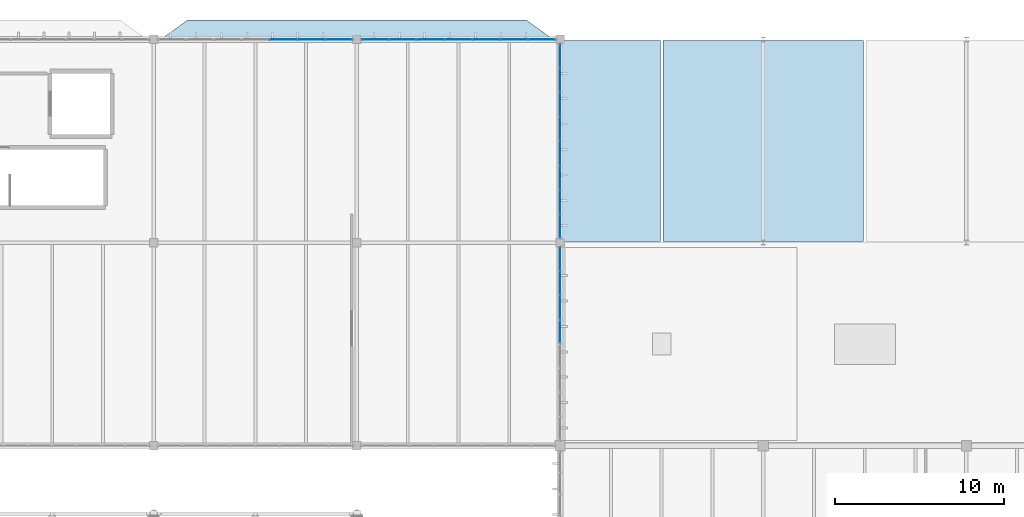
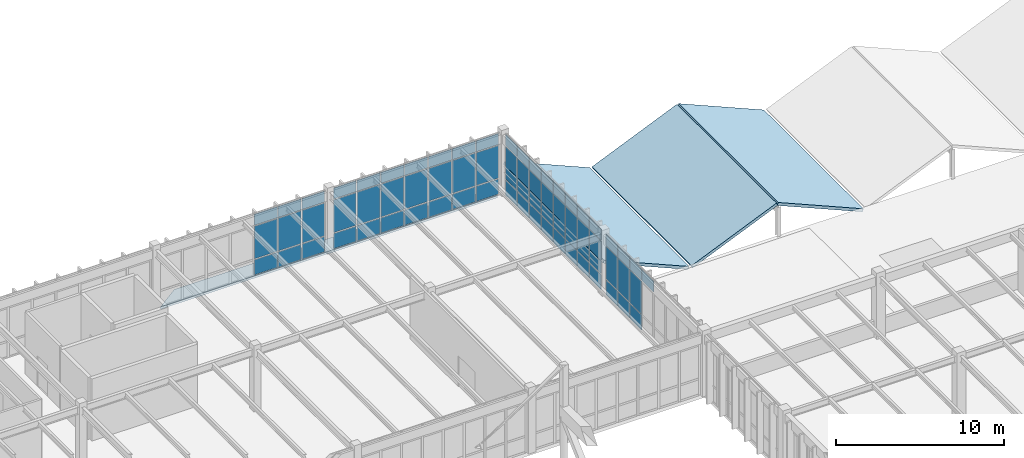
# One storey, part 207 of 236: 64 plates, 4 slabs, 4 elements without a shape of their own.
"""IFC4 building model written with IfcOpenShell, lengths in metres."""

from ifc_helpers import new_model, si_unit, direction, frame, origin, origin_2d, place, context, subcontext, project, spatial, polyline, rectangle, outline, extrude, material, layer, layer_set, type_object, element, aggregate, save


model = new_model("IFC4")

# Units and contexts
model_context = context("Model", 3, precision=1e-05, world=origin(), true_north=direction((0.0, 1.0)))
body_context = subcontext(model_context, "Body", "Model", "MODEL_VIEW")
ifc_project = project(units=[si_unit("LENGTHUNIT", "METRE"), si_unit("AREAUNIT", "SQUARE_METRE"), si_unit("VOLUMEUNIT", "CUBIC_METRE"), si_unit("PLANEANGLEUNIT", "RADIAN"), si_unit("MASSUNIT", "GRAM", prefix="KILO")], contexts=[model_context])

# Site, building, storey
site_placement = place(None, origin())
site = spatial("IfcSite", under=ifc_project, at=site_placement, CompositionType="ELEMENT")
building_placement = place(site_placement, origin())
building = spatial("IfcBuilding", under=site, at=building_placement, Name="Pandanus Reach Market Hall", CompositionType="ELEMENT")
storey_placement = place(building_placement, frame((0.0, 0.0, 5.39990234375)))
storey = spatial("IfcBuildingStorey", under=building, at=storey_placement, Name="L01", CompositionType="ELEMENT", Elevation=5.39990234375)

# Curtain wall, plates
ifc_material_1 = material(Name="Bronze anodised aluminium and low-E glass", Category="aluminium")
ifc_layer_1 = layer(ifc_material_1, 0.159912109375, Name="CW-39")
ifc_layer_set_1 = layer_set([ifc_layer_1], Name="Bronze anodised aluminium and low-E glass")
curtain_wall_type_1 = type_object("IfcCurtainWallType", Name="CW-39", PredefinedType="NOTDEFINED", material=ifc_layer_set_1)
curtain_wall_1_placement = place(storey_placement, origin())
curtain_wall_1 = element("IfcCurtainWall", 1, at=curtain_wall_1_placement, inside=storey, type_object=curtain_wall_type_1, Name="Glazed curtain wall CW-39 CW-0144", PredefinedType="NOTDEFINED")
ifc_material_2 = material(Name="Solar-control double glazing", Category="glass")
ifc_layer_2 = layer(ifc_material_2, 0.028076171875, Name="CW-P1")
ifc_layer_set_2 = layer_set([ifc_layer_2], Name="Solar-control double glazing")
plate_type = type_object("IfcPlateType", Name="CW-P1", PredefinedType="CURTAIN_PANEL", material=ifc_layer_set_2)
plate_1_placement = place(storey_placement, frame((127.642822265625, 120.0, 0.065185546875), z_axis=(0.0, 0.0, 1.0), x_axis=(1.0, 0.0, 0.0)))
plate_1 = element("IfcPlate", 2, at=plate_1_placement, type_object=plate_type, Name="CW-39 panel 5.1", PredefinedType="CURTAIN_PANEL", context=body_context, shape_type="SweptSolid", body=[
    extrude(rectangle(XDim=1.577880859375, YDim=0.028076171875, at=origin_2d()), origin(), (0.0, 0.0, 1.0), 1.1025390625),
])
plate_2_placement = place(storey_placement, frame((127.642822265625, 120.0, 1.232421875), z_axis=(0.0, 0.0, 1.0), x_axis=(1.0, 0.0, 0.0)))
plate_2 = element("IfcPlate", 3, at=plate_2_placement, type_object=plate_type, Name="CW-39 panel 5.2", PredefinedType="CURTAIN_PANEL", context=body_context, shape_type="SweptSolid", body=[
    extrude(rectangle(XDim=1.577880859375, YDim=0.028076171875, at=origin_2d()), origin(), (0.0, 0.0, 1.0), 2.385009765625),
])
plate_3_placement = place(storey_placement, frame((127.642822265625, 120.0, 3.6826171875), z_axis=(0.0, 0.0, 1.0), x_axis=(1.0, 0.0, 0.0)))
plate_3 = element("IfcPlate", 4, at=plate_3_placement, type_object=plate_type, Name="CW-39 panel 5.3", PredefinedType="CURTAIN_PANEL", context=body_context, shape_type="SweptSolid", body=[
    extrude(rectangle(XDim=1.577880859375, YDim=0.028076171875, at=origin_2d()), origin(), (0.0, 0.0, 1.0), 0.802490234375),
])
plate_4_placement = place(storey_placement, frame((129.28564453125, 120.0, 0.065185546875), z_axis=(0.0, 0.0, 1.0), x_axis=(1.0, 0.0, 0.0)))
plate_4 = element("IfcPlate", 5, at=plate_4_placement, type_object=plate_type, Name="CW-39 panel 6.1", PredefinedType="CURTAIN_PANEL", context=body_context, shape_type="SweptSolid", body=[
    extrude(rectangle(XDim=1.577880859375, YDim=0.028076171875, at=origin_2d()), origin(), (0.0, 0.0, 1.0), 1.1025390625),
])
plate_5_placement = place(storey_placement, frame((129.28564453125, 120.0, 1.232421875), z_axis=(0.0, 0.0, 1.0), x_axis=(1.0, 0.0, 0.0)))
plate_5 = element("IfcPlate", 6, at=plate_5_placement, type_object=plate_type, Name="CW-39 panel 6.2", PredefinedType="CURTAIN_PANEL", context=body_context, shape_type="SweptSolid", body=[
    extrude(rectangle(XDim=1.577880859375, YDim=0.028076171875, at=origin_2d()), origin(), (0.0, 0.0, 1.0), 2.385009765625),
])
plate_6_placement = place(storey_placement, frame((129.28564453125, 120.0, 3.6826171875), z_axis=(0.0, 0.0, 1.0), x_axis=(1.0, 0.0, 0.0)))
plate_6 = element("IfcPlate", 7, at=plate_6_placement, type_object=plate_type, Name="CW-39 panel 6.3", PredefinedType="CURTAIN_PANEL", context=body_context, shape_type="SweptSolid", body=[
    extrude(rectangle(XDim=1.577880859375, YDim=0.028076171875, at=origin_2d()), origin(), (0.0, 0.0, 1.0), 0.802490234375),
])
plate_7_placement = place(storey_placement, frame((130.912353515625, 120.0, 0.065185546875), z_axis=(0.0, 0.0, 1.0), x_axis=(1.0, 0.0, 0.0)))
plate_7 = element("IfcPlate", 8, at=plate_7_placement, type_object=plate_type, Name="CW-39 panel 7.1", PredefinedType="CURTAIN_PANEL", context=body_context, shape_type="SweptSolid", body=[
    extrude(rectangle(XDim=1.54541015625, YDim=0.028076171875, at=origin_2d()), origin(), (0.0, 0.0, 1.0), 1.1025390625),
])
plate_8_placement = place(storey_placement, frame((130.912353515625, 120.0, 1.232421875), z_axis=(0.0, 0.0, 1.0), x_axis=(1.0, 0.0, 0.0)))
plate_8 = element("IfcPlate", 9, at=plate_8_placement, type_object=plate_type, Name="CW-39 panel 7.2", PredefinedType="CURTAIN_PANEL", context=body_context, shape_type="SweptSolid", body=[
    extrude(rectangle(XDim=1.54541015625, YDim=0.028076171875, at=origin_2d()), origin(), (0.0, 0.0, 1.0), 2.385009765625),
])
plate_9_placement = place(storey_placement, frame((130.912353515625, 120.0, 3.6826171875), z_axis=(0.0, 0.0, 1.0), x_axis=(1.0, 0.0, 0.0)))
plate_9 = element("IfcPlate", 10, at=plate_9_placement, type_object=plate_type, Name="CW-39 panel 7.3", PredefinedType="CURTAIN_PANEL", context=body_context, shape_type="SweptSolid", body=[
    extrude(rectangle(XDim=1.54541015625, YDim=0.028076171875, at=origin_2d()), origin(), (0.0, 0.0, 1.0), 0.802490234375),
])
aggregate(curtain_wall_1, [plate_1, plate_2, plate_3, plate_4, plate_5, plate_6, plate_7, plate_8, plate_9])

curtain_wall_2_placement = place(storey_placement, origin())
curtain_wall_2 = element("IfcCurtainWall", 11, at=curtain_wall_2_placement, inside=storey, type_object=curtain_wall_type_1, Name="Glazed curtain wall CW-39 CW-0146", PredefinedType="NOTDEFINED")
plate_10_placement = place(storey_placement, frame((133.087646484375, 120.0, 0.065185546875), z_axis=(0.0, 0.0, 1.0), x_axis=(1.0, 0.0, 0.0)))
plate_10 = element("IfcPlate", 12, at=plate_10_placement, type_object=plate_type, Name="CW-39 panel 1.1", PredefinedType="CURTAIN_PANEL", context=body_context, shape_type="SweptSolid", body=[
    extrude(rectangle(XDim=1.54541015625, YDim=0.028076171875, at=origin_2d()), origin(), (0.0, 0.0, 1.0), 1.1025390625),
])
plate_11_placement = place(storey_placement, frame((133.087646484375, 120.0, 1.232421875), z_axis=(0.0, 0.0, 1.0), x_axis=(1.0, 0.0, 0.0)))
plate_11 = element("IfcPlate", 13, at=plate_11_placement, type_object=plate_type, Name="CW-39 panel 1.2", PredefinedType="CURTAIN_PANEL", context=body_context, shape_type="SweptSolid", body=[
    extrude(rectangle(XDim=1.54541015625, YDim=0.028076171875, at=origin_2d()), origin(), (0.0, 0.0, 1.0), 2.385009765625),
])
plate_12_placement = place(storey_placement, frame((133.087646484375, 120.0, 3.6826171875), z_axis=(0.0, 0.0, 1.0), x_axis=(1.0, 0.0, 0.0)))
plate_12 = element("IfcPlate", 14, at=plate_12_placement, type_object=plate_type, Name="CW-39 panel 1.3", PredefinedType="CURTAIN_PANEL", context=body_context, shape_type="SweptSolid", body=[
    extrude(rectangle(XDim=1.54541015625, YDim=0.028076171875, at=origin_2d()), origin(), (0.0, 0.0, 1.0), 0.802490234375),
])
plate_13_placement = place(storey_placement, frame((134.71435546875, 120.0, 0.065185546875), z_axis=(0.0, 0.0, 1.0), x_axis=(1.0, 0.0, 0.0)))
plate_13 = element("IfcPlate", 15, at=plate_13_placement, type_object=plate_type, Name="CW-39 panel 2.1", PredefinedType="CURTAIN_PANEL", context=body_context, shape_type="SweptSolid", body=[
    extrude(rectangle(XDim=1.577880859375, YDim=0.028076171875, at=origin_2d()), origin(), (0.0, 0.0, 1.0), 1.1025390625),
])
plate_14_placement = place(storey_placement, frame((134.71435546875, 120.0, 1.232421875), z_axis=(0.0, 0.0, 1.0), x_axis=(1.0, 0.0, 0.0)))
plate_14 = element("IfcPlate", 16, at=plate_14_placement, type_object=plate_type, Name="CW-39 panel 2.2", PredefinedType="CURTAIN_PANEL", context=body_context, shape_type="SweptSolid", body=[
    extrude(rectangle(XDim=1.577880859375, YDim=0.028076171875, at=origin_2d()), origin(), (0.0, 0.0, 1.0), 2.385009765625),
])
plate_15_placement = place(storey_placement, frame((134.71435546875, 120.0, 3.6826171875), z_axis=(0.0, 0.0, 1.0), x_axis=(1.0, 0.0, 0.0)))
plate_15 = element("IfcPlate", 17, at=plate_15_placement, type_object=plate_type, Name="CW-39 panel 2.3", PredefinedType="CURTAIN_PANEL", context=body_context, shape_type="SweptSolid", body=[
    extrude(rectangle(XDim=1.577880859375, YDim=0.028076171875, at=origin_2d()), origin(), (0.0, 0.0, 1.0), 0.802490234375),
])
plate_16_placement = place(storey_placement, frame((136.357177734375, 120.0, 0.065185546875), z_axis=(0.0, 0.0, 1.0), x_axis=(1.0, 0.0, 0.0)))
plate_16 = element("IfcPlate", 18, at=plate_16_placement, type_object=plate_type, Name="CW-39 panel 3.1", PredefinedType="CURTAIN_PANEL", context=body_context, shape_type="SweptSolid", body=[
    extrude(rectangle(XDim=1.577880859375, YDim=0.028076171875, at=origin_2d()), origin(), (0.0, 0.0, 1.0), 1.1025390625),
])
plate_17_placement = place(storey_placement, frame((136.357177734375, 120.0, 1.232421875), z_axis=(0.0, 0.0, 1.0), x_axis=(1.0, 0.0, 0.0)))
plate_17 = element("IfcPlate", 19, at=plate_17_placement, type_object=plate_type, Name="CW-39 panel 3.2", PredefinedType="CURTAIN_PANEL", context=body_context, shape_type="SweptSolid", body=[
    extrude(rectangle(XDim=1.577880859375, YDim=0.028076171875, at=origin_2d()), origin(), (0.0, 0.0, 1.0), 2.385009765625),
])
plate_18_placement = place(storey_placement, frame((136.357177734375, 120.0, 3.6826171875), z_axis=(0.0, 0.0, 1.0), x_axis=(1.0, 0.0, 0.0)))
plate_18 = element("IfcPlate", 20, at=plate_18_placement, type_object=plate_type, Name="CW-39 panel 3.3", PredefinedType="CURTAIN_PANEL", context=body_context, shape_type="SweptSolid", body=[
    extrude(rectangle(XDim=1.577880859375, YDim=0.028076171875, at=origin_2d()), origin(), (0.0, 0.0, 1.0), 0.802490234375),
])
plate_19_placement = place(storey_placement, frame((138.0, 120.0, 0.065185546875), z_axis=(0.0, 0.0, 1.0), x_axis=(1.0, 0.0, 0.0)))
plate_19 = element("IfcPlate", 21, at=plate_19_placement, type_object=plate_type, Name="CW-39 panel 4.1", PredefinedType="CURTAIN_PANEL", context=body_context, shape_type="SweptSolid", body=[
    extrude(rectangle(XDim=1.577880859375, YDim=0.028076171875, at=origin_2d()), origin(), (0.0, 0.0, 1.0), 1.1025390625),
])
plate_20_placement = place(storey_placement, frame((138.0, 120.0, 1.232421875), z_axis=(0.0, 0.0, 1.0), x_axis=(1.0, 0.0, 0.0)))
plate_20 = element("IfcPlate", 22, at=plate_20_placement, type_object=plate_type, Name="CW-39 panel 4.2", PredefinedType="CURTAIN_PANEL", context=body_context, shape_type="SweptSolid", body=[
    extrude(rectangle(XDim=1.577880859375, YDim=0.028076171875, at=origin_2d()), origin(), (0.0, 0.0, 1.0), 2.385009765625),
])
plate_21_placement = place(storey_placement, frame((138.0, 120.0, 3.6826171875), z_axis=(0.0, 0.0, 1.0), x_axis=(1.0, 0.0, 0.0)))
plate_21 = element("IfcPlate", 23, at=plate_21_placement, type_object=plate_type, Name="CW-39 panel 4.3", PredefinedType="CURTAIN_PANEL", context=body_context, shape_type="SweptSolid", body=[
    extrude(rectangle(XDim=1.577880859375, YDim=0.028076171875, at=origin_2d()), origin(), (0.0, 0.0, 1.0), 0.802490234375),
])
plate_22_placement = place(storey_placement, frame((139.642822265625, 120.0, 0.065185546875), z_axis=(0.0, 0.0, 1.0), x_axis=(1.0, 0.0, 0.0)))
plate_22 = element("IfcPlate", 24, at=plate_22_placement, type_object=plate_type, Name="CW-39 panel 5.1", PredefinedType="CURTAIN_PANEL", context=body_context, shape_type="SweptSolid", body=[
    extrude(rectangle(XDim=1.577880859375, YDim=0.028076171875, at=origin_2d()), origin(), (0.0, 0.0, 1.0), 1.1025390625),
])
plate_23_placement = place(storey_placement, frame((139.642822265625, 120.0, 1.232421875), z_axis=(0.0, 0.0, 1.0), x_axis=(1.0, 0.0, 0.0)))
plate_23 = element("IfcPlate", 25, at=plate_23_placement, type_object=plate_type, Name="CW-39 panel 5.2", PredefinedType="CURTAIN_PANEL", context=body_context, shape_type="SweptSolid", body=[
    extrude(rectangle(XDim=1.577880859375, YDim=0.028076171875, at=origin_2d()), origin(), (0.0, 0.0, 1.0), 2.385009765625),
])
plate_24_placement = place(storey_placement, frame((139.642822265625, 120.0, 3.6826171875), z_axis=(0.0, 0.0, 1.0), x_axis=(1.0, 0.0, 0.0)))
plate_24 = element("IfcPlate", 26, at=plate_24_placement, type_object=plate_type, Name="CW-39 panel 5.3", PredefinedType="CURTAIN_PANEL", context=body_context, shape_type="SweptSolid", body=[
    extrude(rectangle(XDim=1.577880859375, YDim=0.028076171875, at=origin_2d()), origin(), (0.0, 0.0, 1.0), 0.802490234375),
])
plate_25_placement = place(storey_placement, frame((141.28564453125, 120.0, 0.065185546875), z_axis=(0.0, 0.0, 1.0), x_axis=(1.0, 0.0, 0.0)))
plate_25 = element("IfcPlate", 27, at=plate_25_placement, type_object=plate_type, Name="CW-39 panel 6.1", PredefinedType="CURTAIN_PANEL", context=body_context, shape_type="SweptSolid", body=[
    extrude(rectangle(XDim=1.577880859375, YDim=0.028076171875, at=origin_2d()), origin(), (0.0, 0.0, 1.0), 1.1025390625),
])
plate_26_placement = place(storey_placement, frame((141.28564453125, 120.0, 1.232421875), z_axis=(0.0, 0.0, 1.0), x_axis=(1.0, 0.0, 0.0)))
plate_26 = element("IfcPlate", 28, at=plate_26_placement, type_object=plate_type, Name="CW-39 panel 6.2", PredefinedType="CURTAIN_PANEL", context=body_context, shape_type="SweptSolid", body=[
    extrude(rectangle(XDim=1.577880859375, YDim=0.028076171875, at=origin_2d()), origin(), (0.0, 0.0, 1.0), 2.385009765625),
])
plate_27_placement = place(storey_placement, frame((141.28564453125, 120.0, 3.6826171875), z_axis=(0.0, 0.0, 1.0), x_axis=(1.0, 0.0, 0.0)))
plate_27 = element("IfcPlate", 29, at=plate_27_placement, type_object=plate_type, Name="CW-39 panel 6.3", PredefinedType="CURTAIN_PANEL", context=body_context, shape_type="SweptSolid", body=[
    extrude(rectangle(XDim=1.577880859375, YDim=0.028076171875, at=origin_2d()), origin(), (0.0, 0.0, 1.0), 0.802490234375),
])
plate_28_placement = place(storey_placement, frame((142.912353515625, 120.0, 0.065185546875), z_axis=(0.0, 0.0, 1.0), x_axis=(1.0, 0.0, 0.0)))
plate_28 = element("IfcPlate", 30, at=plate_28_placement, type_object=plate_type, Name="CW-39 panel 7.1", PredefinedType="CURTAIN_PANEL", context=body_context, shape_type="SweptSolid", body=[
    extrude(rectangle(XDim=1.54541015625, YDim=0.028076171875, at=origin_2d()), origin(), (0.0, 0.0, 1.0), 1.1025390625),
])
plate_29_placement = place(storey_placement, frame((142.912353515625, 120.0, 1.232421875), z_axis=(0.0, 0.0, 1.0), x_axis=(1.0, 0.0, 0.0)))
plate_29 = element("IfcPlate", 31, at=plate_29_placement, type_object=plate_type, Name="CW-39 panel 7.2", PredefinedType="CURTAIN_PANEL", context=body_context, shape_type="SweptSolid", body=[
    extrude(rectangle(XDim=1.54541015625, YDim=0.028076171875, at=origin_2d()), origin(), (0.0, 0.0, 1.0), 2.385009765625),
])
plate_30_placement = place(storey_placement, frame((142.912353515625, 120.0, 3.6826171875), z_axis=(0.0, 0.0, 1.0), x_axis=(1.0, 0.0, 0.0)))
plate_30 = element("IfcPlate", 32, at=plate_30_placement, type_object=plate_type, Name="CW-39 panel 7.3", PredefinedType="CURTAIN_PANEL", context=body_context, shape_type="SweptSolid", body=[
    extrude(rectangle(XDim=1.54541015625, YDim=0.028076171875, at=origin_2d()), origin(), (0.0, 0.0, 1.0), 0.802490234375),
])
aggregate(curtain_wall_2, [plate_10, plate_11, plate_12, plate_13, plate_14, plate_15, plate_16, plate_17, plate_18, plate_19, plate_20, plate_21, plate_22, plate_23, plate_24, plate_25, plate_26, plate_27, plate_28, plate_29, plate_30])

ifc_layer_3 = layer(ifc_material_1, 0.159912109375, Name="CW-40")
ifc_layer_set_3 = layer_set([ifc_layer_3], Name="Bronze anodised aluminium and low-E glass")
curtain_wall_type_2 = type_object("IfcCurtainWallType", Name="CW-40", PredefinedType="NOTDEFINED", material=ifc_layer_set_3)
curtain_wall_3_placement = place(storey_placement, origin())
curtain_wall_3 = element("IfcCurtainWall", 33, at=curtain_wall_3_placement, inside=storey, type_object=curtain_wall_type_2, Name="Glazed curtain wall CW-40 CW-0149", PredefinedType="NOTDEFINED")
plate_31_placement = place(storey_placement, frame((144.0, 102.74072265625, 3.6826171875), z_axis=(0.0, 0.0, 1.0), x_axis=(0.0, 1.0, 0.0)))
plate_31 = element("IfcPlate", 34, at=plate_31_placement, type_object=plate_type, Name="CW-40 panel 5.3", PredefinedType="CURTAIN_PANEL", context=body_context, shape_type="SweptSolid", body=[
    extrude(rectangle(XDim=1.3662109375, YDim=0.028076171875, at=origin_2d()), origin(), (0.0, 0.0, 1.0), 0.802490234375),
])
plate_32_placement = place(storey_placement, frame((144.0, 104.171875, 0.065185546875), z_axis=(0.0, 0.0, 1.0), x_axis=(0.0, 1.0, 0.0)))
plate_32 = element("IfcPlate", 35, at=plate_32_placement, type_object=plate_type, Name="CW-40 panel 6.1", PredefinedType="CURTAIN_PANEL", context=body_context, shape_type="SweptSolid", body=[
    extrude(rectangle(XDim=1.3662109375, YDim=0.028076171875, at=origin_2d()), origin(), (0.0, 0.0, 1.0), 1.1025390625),
])
plate_33_placement = place(storey_placement, frame((144.0, 104.171875, 1.232421875), z_axis=(0.0, 0.0, 1.0), x_axis=(0.0, 1.0, 0.0)))
plate_33 = element("IfcPlate", 36, at=plate_33_placement, type_object=plate_type, Name="CW-40 panel 6.2", PredefinedType="CURTAIN_PANEL", context=body_context, shape_type="SweptSolid", body=[
    extrude(rectangle(XDim=1.3662109375, YDim=0.028076171875, at=origin_2d()), origin(), (0.0, 0.0, 1.0), 2.385009765625),
])
plate_34_placement = place(storey_placement, frame((144.0, 104.171875, 3.6826171875), z_axis=(0.0, 0.0, 1.0), x_axis=(0.0, 1.0, 0.0)))
plate_34 = element("IfcPlate", 37, at=plate_34_placement, type_object=plate_type, Name="CW-40 panel 6.3", PredefinedType="CURTAIN_PANEL", context=body_context, shape_type="SweptSolid", body=[
    extrude(rectangle(XDim=1.3662109375, YDim=0.028076171875, at=origin_2d()), origin(), (0.0, 0.0, 1.0), 0.802490234375),
])
plate_35_placement = place(storey_placement, frame((144.0, 105.60302734375, 0.065185546875), z_axis=(0.0, 0.0, 1.0), x_axis=(0.0, 1.0, 0.0)))
plate_35 = element("IfcPlate", 38, at=plate_35_placement, type_object=plate_type, Name="CW-40 panel 7.1", PredefinedType="CURTAIN_PANEL", context=body_context, shape_type="SweptSolid", body=[
    extrude(rectangle(XDim=1.3662109375, YDim=0.028076171875, at=origin_2d()), origin(), (0.0, 0.0, 1.0), 1.1025390625),
])
plate_36_placement = place(storey_placement, frame((144.0, 105.60302734375, 1.232421875), z_axis=(0.0, 0.0, 1.0), x_axis=(0.0, 1.0, 0.0)))
plate_36 = element("IfcPlate", 39, at=plate_36_placement, type_object=plate_type, Name="CW-40 panel 7.2", PredefinedType="CURTAIN_PANEL", context=body_context, shape_type="SweptSolid", body=[
    extrude(rectangle(XDim=1.3662109375, YDim=0.028076171875, at=origin_2d()), origin(), (0.0, 0.0, 1.0), 2.385009765625),
])
plate_37_placement = place(storey_placement, frame((144.0, 105.60302734375, 3.6826171875), z_axis=(0.0, 0.0, 1.0), x_axis=(0.0, 1.0, 0.0)))
plate_37 = element("IfcPlate", 40, at=plate_37_placement, type_object=plate_type, Name="CW-40 panel 7.3", PredefinedType="CURTAIN_PANEL", context=body_context, shape_type="SweptSolid", body=[
    extrude(rectangle(XDim=1.3662109375, YDim=0.028076171875, at=origin_2d()), origin(), (0.0, 0.0, 1.0), 0.802490234375),
])
plate_38_placement = place(storey_placement, frame((144.0, 107.01806640625, 0.065185546875), z_axis=(0.0, 0.0, 1.0), x_axis=(0.0, 1.0, 0.0)))
plate_38 = element("IfcPlate", 41, at=plate_38_placement, type_object=plate_type, Name="CW-40 panel 8.1", PredefinedType="CURTAIN_PANEL", context=body_context, shape_type="SweptSolid", body=[
    extrude(rectangle(XDim=1.333740234375, YDim=0.028076171875, at=origin_2d()), origin(), (0.0, 0.0, 1.0), 1.1025390625),
])
plate_39_placement = place(storey_placement, frame((144.0, 107.01806640625, 1.232421875), z_axis=(0.0, 0.0, 1.0), x_axis=(0.0, 1.0, 0.0)))
plate_39 = element("IfcPlate", 42, at=plate_39_placement, type_object=plate_type, Name="CW-40 panel 8.2", PredefinedType="CURTAIN_PANEL", context=body_context, shape_type="SweptSolid", body=[
    extrude(rectangle(XDim=1.333740234375, YDim=0.028076171875, at=origin_2d()), origin(), (0.0, 0.0, 1.0), 2.385009765625),
])
plate_40_placement = place(storey_placement, frame((144.0, 107.01806640625, 3.6826171875), z_axis=(0.0, 0.0, 1.0), x_axis=(0.0, 1.0, 0.0)))
plate_40 = element("IfcPlate", 43, at=plate_40_placement, type_object=plate_type, Name="CW-40 panel 8.3", PredefinedType="CURTAIN_PANEL", context=body_context, shape_type="SweptSolid", body=[
    extrude(rectangle(XDim=1.333740234375, YDim=0.028076171875, at=origin_2d()), origin(), (0.0, 0.0, 1.0), 0.802490234375),
])
aggregate(curtain_wall_3, [plate_31, plate_32, plate_33, plate_34, plate_35, plate_36, plate_37, plate_38, plate_39, plate_40])

ifc_layer_4 = layer(ifc_material_1, 0.159912109375, Name="CW-38")
ifc_layer_set_4 = layer_set([ifc_layer_4], Name="Bronze anodised aluminium and low-E glass")
curtain_wall_type_3 = type_object("IfcCurtainWallType", Name="CW-38", PredefinedType="NOTDEFINED", material=ifc_layer_set_4)
curtain_wall_4_placement = place(storey_placement, origin())
curtain_wall_4 = element("IfcCurtainWall", 44, at=curtain_wall_4_placement, inside=storey, type_object=curtain_wall_type_3, Name="Glazed curtain wall CW-38 CW-0152", PredefinedType="NOTDEFINED")
plate_41_placement = place(storey_placement, frame((144.0, 108.985107421875, 0.065185546875), z_axis=(0.0, 0.0, 1.0), x_axis=(0.0, 1.0, 0.0)))
plate_41 = element("IfcPlate", 45, at=plate_41_placement, type_object=plate_type, Name="CW-38 panel 1.1", PredefinedType="CURTAIN_PANEL", context=body_context, shape_type="SweptSolid", body=[
    extrude(rectangle(XDim=1.340087890625, YDim=0.028076171875, at=origin_2d()), origin(), (0.0, 0.0, 1.0), 1.1025390625),
])
plate_42_placement = place(storey_placement, frame((144.0, 108.985107421875, 1.232421875), z_axis=(0.0, 0.0, 1.0), x_axis=(0.0, 1.0, 0.0)))
plate_42 = element("IfcPlate", 46, at=plate_42_placement, type_object=plate_type, Name="CW-38 panel 1.2", PredefinedType="CURTAIN_PANEL", context=body_context, shape_type="SweptSolid", body=[
    extrude(rectangle(XDim=1.340087890625, YDim=0.028076171875, at=origin_2d()), origin(), (0.0, 0.0, 1.0), 2.385009765625),
])
plate_43_placement = place(storey_placement, frame((144.0, 108.985107421875, 3.6826171875), z_axis=(0.0, 0.0, 1.0), x_axis=(0.0, 1.0, 0.0)))
plate_43 = element("IfcPlate", 47, at=plate_43_placement, type_object=plate_type, Name="CW-38 panel 1.3", PredefinedType="CURTAIN_PANEL", context=body_context, shape_type="SweptSolid", body=[
    extrude(rectangle(XDim=1.340087890625, YDim=0.028076171875, at=origin_2d()), origin(), (0.0, 0.0, 1.0), 0.802490234375),
])
plate_44_placement = place(storey_placement, frame((144.0, 110.40625, 0.065185546875), z_axis=(0.0, 0.0, 1.0), x_axis=(0.0, 1.0, 0.0)))
plate_44 = element("IfcPlate", 48, at=plate_44_placement, type_object=plate_type, Name="CW-38 panel 2.1", PredefinedType="CURTAIN_PANEL", context=body_context, shape_type="SweptSolid", body=[
    extrude(rectangle(XDim=1.37255859375, YDim=0.028076171875, at=origin_2d()), origin(), (0.0, 0.0, 1.0), 1.1025390625),
])
plate_45_placement = place(storey_placement, frame((144.0, 110.40625, 1.232421875), z_axis=(0.0, 0.0, 1.0), x_axis=(0.0, 1.0, 0.0)))
plate_45 = element("IfcPlate", 49, at=plate_45_placement, type_object=plate_type, Name="CW-38 panel 2.2", PredefinedType="CURTAIN_PANEL", context=body_context, shape_type="SweptSolid", body=[
    extrude(rectangle(XDim=1.37255859375, YDim=0.028076171875, at=origin_2d()), origin(), (0.0, 0.0, 1.0), 2.385009765625),
])
plate_46_placement = place(storey_placement, frame((144.0, 110.40625, 3.6826171875), z_axis=(0.0, 0.0, 1.0), x_axis=(0.0, 1.0, 0.0)))
plate_46 = element("IfcPlate", 50, at=plate_46_placement, type_object=plate_type, Name="CW-38 panel 2.3", PredefinedType="CURTAIN_PANEL", context=body_context, shape_type="SweptSolid", body=[
    extrude(rectangle(XDim=1.37255859375, YDim=0.028076171875, at=origin_2d()), origin(), (0.0, 0.0, 1.0), 0.802490234375),
])
plate_47_placement = place(storey_placement, frame((144.0, 111.84375, 0.065185546875), z_axis=(0.0, 0.0, 1.0), x_axis=(0.0, 1.0, 0.0)))
plate_47 = element("IfcPlate", 51, at=plate_47_placement, type_object=plate_type, Name="CW-38 panel 3.1", PredefinedType="CURTAIN_PANEL", context=body_context, shape_type="SweptSolid", body=[
    extrude(rectangle(XDim=1.37255859375, YDim=0.028076171875, at=origin_2d()), origin(), (0.0, 0.0, 1.0), 1.1025390625),
])
plate_48_placement = place(storey_placement, frame((144.0, 111.84375, 1.232421875), z_axis=(0.0, 0.0, 1.0), x_axis=(0.0, 1.0, 0.0)))
plate_48 = element("IfcPlate", 52, at=plate_48_placement, type_object=plate_type, Name="CW-38 panel 3.2", PredefinedType="CURTAIN_PANEL", context=body_context, shape_type="SweptSolid", body=[
    extrude(rectangle(XDim=1.37255859375, YDim=0.028076171875, at=origin_2d()), origin(), (0.0, 0.0, 1.0), 2.385009765625),
])
plate_49_placement = place(storey_placement, frame((144.0, 111.84375, 3.6826171875), z_axis=(0.0, 0.0, 1.0), x_axis=(0.0, 1.0, 0.0)))
plate_49 = element("IfcPlate", 53, at=plate_49_placement, type_object=plate_type, Name="CW-38 panel 3.3", PredefinedType="CURTAIN_PANEL", context=body_context, shape_type="SweptSolid", body=[
    extrude(rectangle(XDim=1.37255859375, YDim=0.028076171875, at=origin_2d()), origin(), (0.0, 0.0, 1.0), 0.802490234375),
])
plate_50_placement = place(storey_placement, frame((144.0, 113.28125, 0.065185546875), z_axis=(0.0, 0.0, 1.0), x_axis=(0.0, 1.0, 0.0)))
plate_50 = element("IfcPlate", 54, at=plate_50_placement, type_object=plate_type, Name="CW-38 panel 4.1", PredefinedType="CURTAIN_PANEL", context=body_context, shape_type="SweptSolid", body=[
    extrude(rectangle(XDim=1.37255859375, YDim=0.028076171875, at=origin_2d()), origin(), (0.0, 0.0, 1.0), 1.1025390625),
])
plate_51_placement = place(storey_placement, frame((144.0, 113.28125, 1.232421875), z_axis=(0.0, 0.0, 1.0), x_axis=(0.0, 1.0, 0.0)))
plate_51 = element("IfcPlate", 55, at=plate_51_placement, type_object=plate_type, Name="CW-38 panel 4.2", PredefinedType="CURTAIN_PANEL", context=body_context, shape_type="SweptSolid", body=[
    extrude(rectangle(XDim=1.37255859375, YDim=0.028076171875, at=origin_2d()), origin(), (0.0, 0.0, 1.0), 2.385009765625),
])
plate_52_placement = place(storey_placement, frame((144.0, 113.28125, 3.6826171875), z_axis=(0.0, 0.0, 1.0), x_axis=(0.0, 1.0, 0.0)))
plate_52 = element("IfcPlate", 56, at=plate_52_placement, type_object=plate_type, Name="CW-38 panel 4.3", PredefinedType="CURTAIN_PANEL", context=body_context, shape_type="SweptSolid", body=[
    extrude(rectangle(XDim=1.37255859375, YDim=0.028076171875, at=origin_2d()), origin(), (0.0, 0.0, 1.0), 0.802490234375),
])
plate_53_placement = place(storey_placement, frame((144.0, 114.71875, 0.065185546875), z_axis=(0.0, 0.0, 1.0), x_axis=(0.0, 1.0, 0.0)))
plate_53 = element("IfcPlate", 57, at=plate_53_placement, type_object=plate_type, Name="CW-38 panel 5.1", PredefinedType="CURTAIN_PANEL", context=body_context, shape_type="SweptSolid", body=[
    extrude(rectangle(XDim=1.37255859375, YDim=0.028076171875, at=origin_2d()), origin(), (0.0, 0.0, 1.0), 1.1025390625),
])
plate_54_placement = place(storey_placement, frame((144.0, 114.71875, 1.232421875), z_axis=(0.0, 0.0, 1.0), x_axis=(0.0, 1.0, 0.0)))
plate_54 = element("IfcPlate", 58, at=plate_54_placement, type_object=plate_type, Name="CW-38 panel 5.2", PredefinedType="CURTAIN_PANEL", context=body_context, shape_type="SweptSolid", body=[
    extrude(rectangle(XDim=1.37255859375, YDim=0.028076171875, at=origin_2d()), origin(), (0.0, 0.0, 1.0), 2.385009765625),
])
plate_55_placement = place(storey_placement, frame((144.0, 114.71875, 3.6826171875), z_axis=(0.0, 0.0, 1.0), x_axis=(0.0, 1.0, 0.0)))
plate_55 = element("IfcPlate", 59, at=plate_55_placement, type_object=plate_type, Name="CW-38 panel 5.3", PredefinedType="CURTAIN_PANEL", context=body_context, shape_type="SweptSolid", body=[
    extrude(rectangle(XDim=1.37255859375, YDim=0.028076171875, at=origin_2d()), origin(), (0.0, 0.0, 1.0), 0.802490234375),
])
plate_56_placement = place(storey_placement, frame((144.0, 116.15625, 0.065185546875), z_axis=(0.0, 0.0, 1.0), x_axis=(0.0, 1.0, 0.0)))
plate_56 = element("IfcPlate", 60, at=plate_56_placement, type_object=plate_type, Name="CW-38 panel 6.1", PredefinedType="CURTAIN_PANEL", context=body_context, shape_type="SweptSolid", body=[
    extrude(rectangle(XDim=1.37255859375, YDim=0.028076171875, at=origin_2d()), origin(), (0.0, 0.0, 1.0), 1.1025390625),
])
plate_57_placement = place(storey_placement, frame((144.0, 116.15625, 1.232421875), z_axis=(0.0, 0.0, 1.0), x_axis=(0.0, 1.0, 0.0)))
plate_57 = element("IfcPlate", 61, at=plate_57_placement, type_object=plate_type, Name="CW-38 panel 6.2", PredefinedType="CURTAIN_PANEL", context=body_context, shape_type="SweptSolid", body=[
    extrude(rectangle(XDim=1.37255859375, YDim=0.028076171875, at=origin_2d()), origin(), (0.0, 0.0, 1.0), 2.385009765625),
])
plate_58_placement = place(storey_placement, frame((144.0, 116.15625, 3.6826171875), z_axis=(0.0, 0.0, 1.0), x_axis=(0.0, 1.0, 0.0)))
plate_58 = element("IfcPlate", 62, at=plate_58_placement, type_object=plate_type, Name="CW-38 panel 6.3", PredefinedType="CURTAIN_PANEL", context=body_context, shape_type="SweptSolid", body=[
    extrude(rectangle(XDim=1.37255859375, YDim=0.028076171875, at=origin_2d()), origin(), (0.0, 0.0, 1.0), 0.802490234375),
])
plate_59_placement = place(storey_placement, frame((144.0, 117.59375, 0.065185546875), z_axis=(0.0, 0.0, 1.0), x_axis=(0.0, 1.0, 0.0)))
plate_59 = element("IfcPlate", 63, at=plate_59_placement, type_object=plate_type, Name="CW-38 panel 7.1", PredefinedType="CURTAIN_PANEL", context=body_context, shape_type="SweptSolid", body=[
    extrude(rectangle(XDim=1.37255859375, YDim=0.028076171875, at=origin_2d()), origin(), (0.0, 0.0, 1.0), 1.1025390625),
])
plate_60_placement = place(storey_placement, frame((144.0, 117.59375, 1.232421875), z_axis=(0.0, 0.0, 1.0), x_axis=(0.0, 1.0, 0.0)))
plate_60 = element("IfcPlate", 64, at=plate_60_placement, type_object=plate_type, Name="CW-38 panel 7.2", PredefinedType="CURTAIN_PANEL", context=body_context, shape_type="SweptSolid", body=[
    extrude(rectangle(XDim=1.37255859375, YDim=0.028076171875, at=origin_2d()), origin(), (0.0, 0.0, 1.0), 2.385009765625),
])
plate_61_placement = place(storey_placement, frame((144.0, 117.59375, 3.6826171875), z_axis=(0.0, 0.0, 1.0), x_axis=(0.0, 1.0, 0.0)))
plate_61 = element("IfcPlate", 65, at=plate_61_placement, type_object=plate_type, Name="CW-38 panel 7.3", PredefinedType="CURTAIN_PANEL", context=body_context, shape_type="SweptSolid", body=[
    extrude(rectangle(XDim=1.37255859375, YDim=0.028076171875, at=origin_2d()), origin(), (0.0, 0.0, 1.0), 0.802490234375),
])
plate_62_placement = place(storey_placement, frame((144.0, 119.014892578125, 0.065185546875), z_axis=(0.0, 0.0, 1.0), x_axis=(0.0, 1.0, 0.0)))
plate_62 = element("IfcPlate", 66, at=plate_62_placement, type_object=plate_type, Name="CW-38 panel 8.1", PredefinedType="CURTAIN_PANEL", context=body_context, shape_type="SweptSolid", body=[
    extrude(rectangle(XDim=1.340087890625, YDim=0.028076171875, at=origin_2d()), origin(), (0.0, 0.0, 1.0), 1.1025390625),
])
plate_63_placement = place(storey_placement, frame((144.0, 119.014892578125, 1.232421875), z_axis=(0.0, 0.0, 1.0), x_axis=(0.0, 1.0, 0.0)))
plate_63 = element("IfcPlate", 67, at=plate_63_placement, type_object=plate_type, Name="CW-38 panel 8.2", PredefinedType="CURTAIN_PANEL", context=body_context, shape_type="SweptSolid", body=[
    extrude(rectangle(XDim=1.340087890625, YDim=0.028076171875, at=origin_2d()), origin(), (0.0, 0.0, 1.0), 2.385009765625),
])
plate_64_placement = place(storey_placement, frame((144.0, 119.014892578125, 3.6826171875), z_axis=(0.0, 0.0, 1.0), x_axis=(0.0, 1.0, 0.0)))
plate_64 = element("IfcPlate", 68, at=plate_64_placement, type_object=plate_type, Name="CW-38 panel 8.3", PredefinedType="CURTAIN_PANEL", context=body_context, shape_type="SweptSolid", body=[
    extrude(rectangle(XDim=1.340087890625, YDim=0.028076171875, at=origin_2d()), origin(), (0.0, 0.0, 1.0), 0.802490234375),
])
aggregate(curtain_wall_4, [plate_41, plate_42, plate_43, plate_44, plate_45, plate_46, plate_47, plate_48, plate_49, plate_50, plate_51, plate_52, plate_53, plate_54, plate_55, plate_56, plate_57, plate_58, plate_59, plate_60, plate_61, plate_62, plate_63, plate_64])

# Slabs
ifc_material_3 = material(Name="Concrete N50 (50 MPa)", Category="concrete")
ifc_layer_5 = layer(ifc_material_3, 0.205078125, Name="RF-BFY-205")
ifc_layer_set_5 = layer_set([ifc_layer_5], Name="Concrete N50 (50 MPa)")
slab_type_1 = type_object("IfcSlabType", Name="RF-BFY-205", PredefinedType="ROOF", material=ifc_layer_set_5)
for number, where, z_axis, x_axis, name in (
    (69, (144.06005859375, 108.06005859375, 2.35009765625), (0.39373902752, 0.0, 0.91922226812), (0.91922226812, 0.0, -0.39373902752), "East service hall butterfly shell roof V5E.1W"),
    (70, (150.080078125, 108.06005859375, -0.159912109375), (-0.39373902752, 0.0, 0.91922226812), (0.91922226812, 0.0, 0.39373902752), "East service hall butterfly shell roof V5E.1E"),
    (71, (156.06005859375, 108.06005859375, 2.35009765625), (0.39373902752, 0.0, 0.91922226812), (0.91922226812, 0.0, -0.39373902752), "East service hall butterfly shell roof V5E.2W"),
):
    element("IfcSlab", number, at=place(storey_placement, frame(where, z_axis=z_axis, x_axis=x_axis)), inside=storey, type_object=slab_type_1, Name=name, PredefinedType="ROOF", context=body_context, shape_type="SweptSolid", body=[
        extrude(outline(polyline([(0.0, 0.0), (6.37480562044639, 0.0), (6.37480562044639, 11.8798828125), (0.0, 11.8798828125), (0.0, 0.0)])), origin(), (0.0, 0.0, -1.0), 0.205078125),
    ])
ifc_layer_6 = layer(ifc_material_3, 0.179931640625, Name="RF-CNP-180")
ifc_layer_set_6 = layer_set([ifc_layer_6], Name="Concrete N50 (50 MPa)")
slab_type_2 = type_object("IfcSlabType", Name="RF-CNP-180", PredefinedType="ROOF", material=ifc_layer_set_6)
slab_placement = place(storey_placement, frame((0.0, 0.0, -0.179931640625)))
element("IfcSlab", 72, at=slab_placement, inside=storey, type_object=slab_type_2, Name="Sculpted concrete brise-soleil hood 26", PredefinedType="ROOF", context=body_context, shape_type="SweptSolid", body=[
    extrude(outline(polyline([(120.39990234375, 120.0), (143.60009765625, 120.0), (142.0, 121.14990234375), (122.0, 121.14990234375), (120.39990234375, 120.0)])), origin(), (0.0, 0.0, 1.0), 0.179931640625),
])

save(model, "model.ifc")
